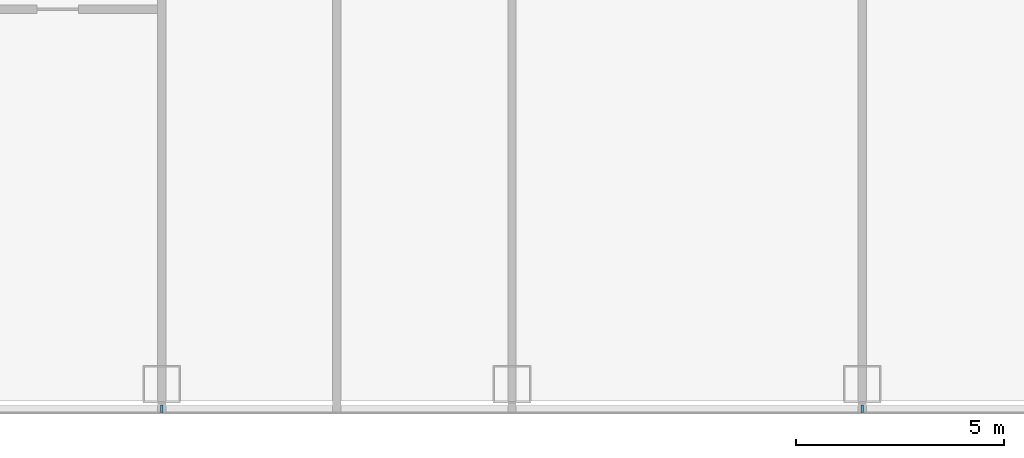
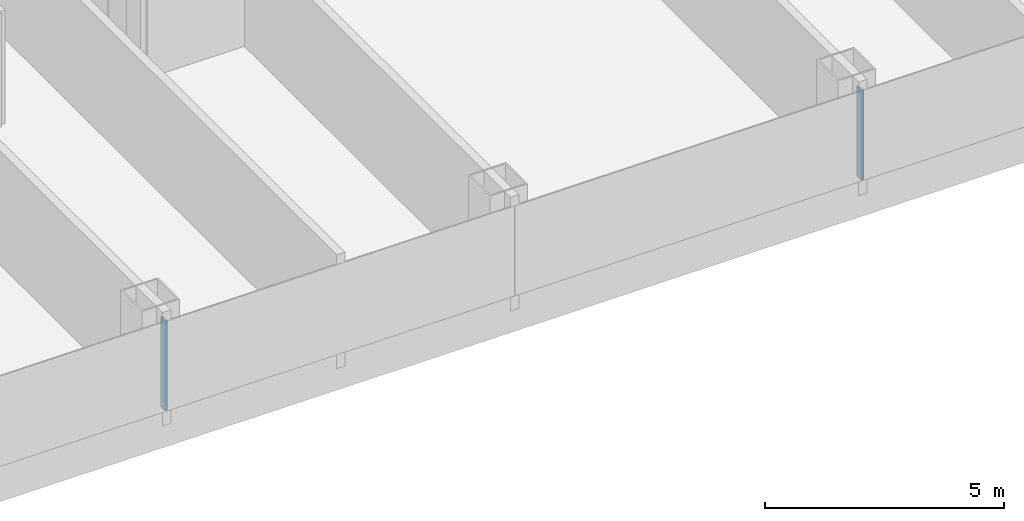
# One storey, part 4 of 29: 2 members, 1 element without a shape of its own.
"""IFC4 building model written with IfcOpenShell, lengths in metres."""

from ifc_helpers import new_model, si_unit, direction, frame, origin, origin_2d, place, context, subcontext, project, spatial, rectangle, extrude, material, layer, layer_set, material_profile, profile_set, type_object, element, aggregate, save


model = new_model("IFC4")

# Units and contexts
model_context = context("Model", 3, precision=1e-05, world=origin(), true_north=direction((0.0, 1.0)))
body_context = subcontext(model_context, "Body", "Model", "MODEL_VIEW")
ifc_project = project(units=[si_unit("LENGTHUNIT", "METRE"), si_unit("AREAUNIT", "SQUARE_METRE"), si_unit("VOLUMEUNIT", "CUBIC_METRE"), si_unit("PLANEANGLEUNIT", "RADIAN"), si_unit("MASSUNIT", "GRAM", prefix="KILO")], contexts=[model_context])

# Site, building, storey
site_placement = place(None, origin())
site = spatial("IfcSite", under=ifc_project, at=site_placement, CompositionType="ELEMENT")
building_placement = place(site_placement, origin())
building = spatial("IfcBuilding", under=site, at=building_placement, Name="Hakoniwa Tower and Hamabe Station Hall", CompositionType="ELEMENT")
storey_placement = place(building_placement, frame((0.0, 0.0, 61.39990234375)))
storey = spatial("IfcBuildingStorey", under=building, at=storey_placement, Name="L17", CompositionType="ELEMENT", Elevation=61.39990234375)

# Curtain wall, members
ifc_material_1 = material(Name="Dark low-e laminated glass", Category="glass")
ifc_layer = layer(ifc_material_1, 0.199951171875)
ifc_layer_set = layer_set([ifc_layer], Name="CW-1 UNITISED GUEST")
curtain_wall_type = type_object("IfcCurtainWallType", Name="CW-1 UNITISED GUEST", PredefinedType="NOTDEFINED", material=ifc_layer_set)
curtain_wall_placement = place(storey_placement, origin())
curtain_wall = element("IfcCurtainWall", 1, at=curtain_wall_placement, inside=storey, type_object=curtain_wall_type, Name="CW-1 curtain wall", PredefinedType="NOTDEFINED")
ifc_material_2 = material(Name="Aluminium 6063-T5 black anodised", Category="aluminium")
ifc_material_profile = material_profile(ifc_material_2, rectangle(XDim=0.06005859375, YDim=0.179931640625, at=origin_2d()), Name="CW-1 MULLION 60X180")
ifc_profile_set = profile_set([ifc_material_profile], Name="Aluminium 6063-T5 black anodised")
member_type = type_object("IfcMemberType", Name="CW-1 MULLION 60X180", PredefinedType="MULLION", material=ifc_profile_set)
member_1_placement = place(storey_placement, frame((-16.800048828125, -20.181884765625, 0.35009765625), z_axis=(0.0, 0.0, 1.0), x_axis=(1.0, 0.0, 0.0)))
member_1 = element("IfcMember", 2, at=member_1_placement, type_object=member_type, Name="CW-1 mullion", PredefinedType="MULLION", context=body_context, shape_type="SweptSolid", body=[
    extrude(rectangle(XDim=0.06005859375, YDim=0.179931640625, at=origin_2d()), origin(), (0.0, 0.0, 1.0), 2.300048828125),
])
member_2_placement = place(storey_placement, frame((0.0, -20.181884765625, 0.35009765625), z_axis=(0.0, 0.0, 1.0), x_axis=(1.0, 0.0, 0.0)))
member_2 = element("IfcMember", 3, at=member_2_placement, type_object=member_type, Name="CW-1 mullion", PredefinedType="MULLION", context=body_context, shape_type="SweptSolid", body=[
    extrude(rectangle(XDim=0.06005859375, YDim=0.179931640625, at=origin_2d()), origin(), (0.0, 0.0, 1.0), 2.300048828125),
])
aggregate(curtain_wall, [member_1, member_2])

save(model, "model.ifc")
